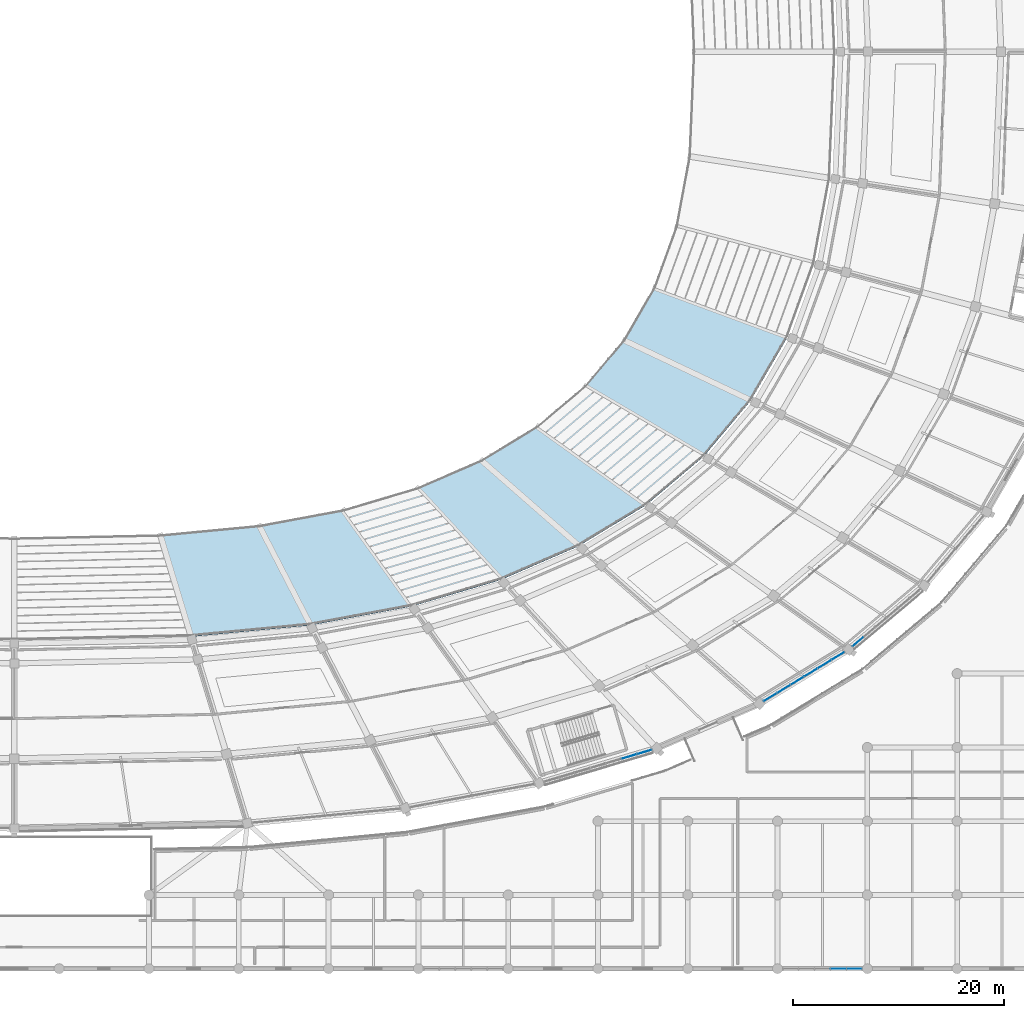
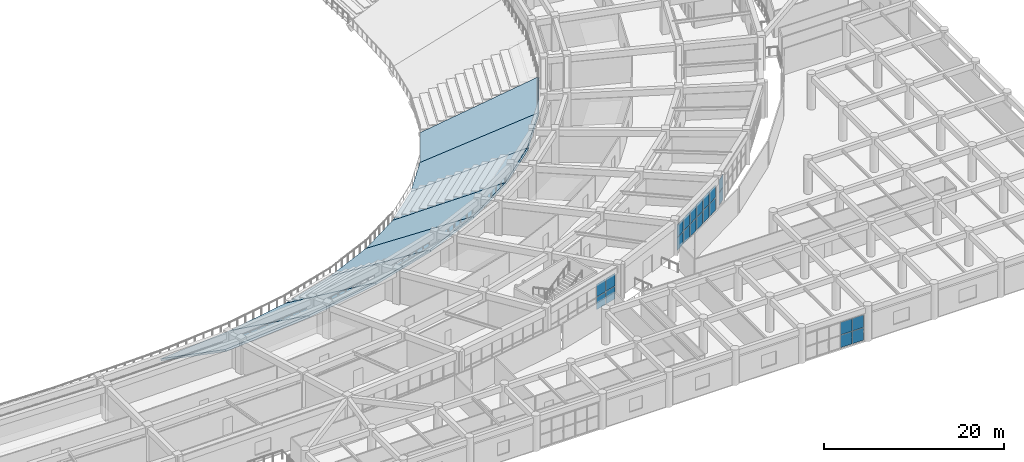
# One storey, part 84 of 152: 22 plates, 8 slabs, 4 elements without a shape of their own.
"""IFC4 building model written with IfcOpenShell, lengths in metres."""

import ifcopenshell
import ifcopenshell.guid

model = None  # the IFC model being written
_history = None  # IfcOwnerHistory: only IFC2X3 demands one
_inside = {}  # id of a spatial element -> (the spatial element, [elements in it])
_under = {}  # id of a project, library or spatial element -> (it, [spatial elements below it])
_declared = {}  # id of a project -> (the project, [libraries it declares])
_typed = {}  # id of a type object -> (the type object, [elements of that type])
_made_of = {}  # id of a material, layer set ... -> (it, [elements and type objects made of it])


def new_model(schema):
    """Start an empty IFC model of exactly this schema.

    Asked for "IFC4X3", IfcOpenShell would pick the latest addendum, in which some entities
    have other attributes; the version numbers below select the first issue.
    IFC2X3 requires an IfcOwnerHistory on every rooted entity: one is made here for all.
    """
    global model, _history
    if schema == "IFC4X3":
        model = ifcopenshell.file(schema_version=(4, 3, 0, 0))
    else:
        model = ifcopenshell.file(schema=schema)
    _inside.clear()
    _under.clear()
    _declared.clear()
    _typed.clear()
    _made_of.clear()
    _history = None
    if model.schema == "IFC2X3":
        org = make("IfcOrganization", Name="unknown")
        user = make(
            "IfcPersonAndOrganization",
            ThePerson=make("IfcPerson", FamilyName="unknown"),
            TheOrganization=org,
        )
        app = make(
            "IfcApplication",
            ApplicationDeveloper=org,
            Version="unknown",
            ApplicationFullName="unknown",
            ApplicationIdentifier="unknown",
        )
        _history = make(
            "IfcOwnerHistory",
            OwningUser=user,
            OwningApplication=app,
            ChangeAction="ADDED",
            CreationDate=0,
        )
    return model


def make(cls, **values):
    """One entity of the class cls with the attributes given. An attribute that is None is left unset."""
    return model.create_entity(
        cls, **{name: value for name, value in values.items() if value is not None}
    )


def rooted(cls, **values):
    """An entity with a GlobalId (a new one), such as an element, a storey or a relation."""
    return make(cls, GlobalId=ifcopenshell.guid.new(), OwnerHistory=_history, **values)


def si_unit(unit_type, name, prefix=None):
    """IfcSIUnit, for example si_unit("LENGTHUNIT", "METRE", prefix="MILLI")."""
    return make("IfcSIUnit", UnitType=unit_type, Prefix=prefix, Name=name)


def assignment(units):
    """IfcUnitAssignment: the units of a project."""
    return None if units is None else make("IfcUnitAssignment", Units=units)


def point(xyz):
    """IfcCartesianPoint."""
    return None if xyz is None else make("IfcCartesianPoint", Coordinates=xyz)


def direction(xyz):
    """IfcDirection."""
    return None if xyz is None else make("IfcDirection", DirectionRatios=xyz)


def frame(location, z_axis=None, x_axis=None):
    """IfcAxis2Placement3D, a coordinate frame: its origin and axes. An axis left out is left unset."""
    return make(
        "IfcAxis2Placement3D",
        Location=point(location),
        Axis=direction(z_axis),
        RefDirection=direction(x_axis),
    )


def frame_2d(location, x_axis=None):
    """IfcAxis2Placement2D, a coordinate frame in the plane: its origin and x axis."""
    return make(
        "IfcAxis2Placement2D", Location=point(location), RefDirection=direction(x_axis)
    )


def origin():
    """The frame at (0, 0, 0) with its axes left unset."""
    return frame((0.0, 0.0, 0.0))


def origin_2d():
    """The frame at (0, 0) in the plane with its x axis left unset."""
    return frame_2d((0.0, 0.0))


def place(relative_to, where):
    """IfcLocalPlacement: puts the frame where relative to a parent placement (None: the world)."""
    return make(
        "IfcLocalPlacement", PlacementRelTo=relative_to, RelativePlacement=where
    )


def context(
    kind, dimensions, precision=None, world=None, true_north=None, identifier=None
):
    """IfcGeometricRepresentationContext, for example the 3D "Model" context."""
    return make(
        "IfcGeometricRepresentationContext",
        ContextIdentifier=identifier,
        ContextType=kind,
        CoordinateSpaceDimension=dimensions,
        Precision=precision,
        WorldCoordinateSystem=world,
        TrueNorth=true_north,
    )


def subcontext(parent, identifier, kind, view, scale=None):
    """IfcGeometricRepresentationSubContext, for example "Body" below "Model"."""
    return make(
        "IfcGeometricRepresentationSubContext",
        ContextIdentifier=identifier,
        ContextType=kind,
        ParentContext=parent,
        TargetScale=scale,
        TargetView=view,
    )


def project(units=None, contexts=None):
    """IfcProject with its units and contexts."""
    return rooted(
        "IfcProject",
        Name="project",
        RepresentationContexts=contexts,
        UnitsInContext=assignment(units),
    )


def spatial(cls, under=None, at=None, **own):
    """A site, building, storey or space (cls), placed at a placement, below another one or the project."""
    s = rooted(cls, ObjectPlacement=at, **own)
    if under is not None:
        _under.setdefault(under.id(), (under, []))[1].append(s)
    return s


def polyline(points):
    """IfcPolyline through the points."""
    return make("IfcPolyline", Points=[point(p) for p in points])


def profile(cls, at=None, kind="AREA", **sizes):
    """A parametric profile (cls). Its sizes go by their IFC names, for example OverallWidth=200.0."""
    return make(cls, ProfileType=kind, Position=at, **sizes)


def rectangle(**sizes):
    """IfcRectangleProfileDef."""
    return profile("IfcRectangleProfileDef", **sizes)


def outline(outer, holes=None, kind="AREA"):
    """IfcArbitraryClosedProfileDef: a profile drawn as a closed curve; with holes, ...WithVoids."""
    if holes is None:
        return make("IfcArbitraryClosedProfileDef", ProfileType=kind, OuterCurve=outer)
    return make(
        "IfcArbitraryProfileDefWithVoids",
        ProfileType=kind,
        OuterCurve=outer,
        InnerCurves=holes,
    )


def extrude(swept, where, along, depth):
    """IfcExtrudedAreaSolid: the profile swept, set in the frame where, extruded along a direction by depth."""
    return make(
        "IfcExtrudedAreaSolid",
        SweptArea=swept,
        Position=where,
        ExtrudedDirection=direction(along),
        Depth=depth,
    )


def shape(context_of_items, identifier, shape_type, items):
    """IfcShapeRepresentation: the items that make up one representation, for example the "Body"."""
    return make(
        "IfcShapeRepresentation",
        ContextOfItems=context_of_items,
        RepresentationIdentifier=identifier,
        RepresentationType=shape_type,
        Items=items,
    )


def material(Name=None, Category=None):
    """IfcMaterial."""
    return make("IfcMaterial", Name=Name, Category=Category)


def layer(
    of_material, thickness, ventilated=None, Name=None, Category=None, Priority=None
):
    """IfcMaterialLayer: one layer of a wall or slab, of a material (None: an air gap)."""
    return make(
        "IfcMaterialLayer",
        Material=of_material,
        LayerThickness=thickness,
        IsVentilated=ventilated,
        Name=Name,
        Category=Category,
        Priority=Priority,
    )


def layer_set(layers, Name=None):
    """IfcMaterialLayerSet."""
    return make("IfcMaterialLayerSet", MaterialLayers=layers, LayerSetName=Name)


def made_of(thing, what):
    """Note that an element or type object is made of a material, layer set ...; save() writes the relation."""
    if what is not None:
        _made_of.setdefault(what.id(), (what, []))[1].append(thing)
    return thing


def type_object(cls, material=None, **own):
    """A type object (cls), such as IfcWallType, which elements share."""
    return made_of(rooted(cls, **own), material)


def element(
    cls,
    number,
    at=None,
    inside=None,
    cuts=None,
    type_object=None,
    material=None,
    context=None,
    identifier="Body",
    shape_type=None,
    held_by="IfcProductDefinitionShape",
    body=None,
    shapes=None,
    **own,
):
    """One element of the class cls, such as IfcWall. Its Tag is "e" and its number.

    at: its placement. inside: the storey or other place that contains it. cuts: it is an
    opening in that element (IfcRelVoidsElement). A single representation is given by context,
    identifier, shape_type and body (its items); several are given by shapes. held_by: the class
    of the entity that holds the representations. save() writes the other relations.
    """
    e = rooted(cls, Tag="e%d" % number, ObjectPlacement=at, **own)
    if body is not None:
        shapes = [shape(context, identifier, shape_type, body)]
    if shapes is not None:
        e.Representation = make(held_by, Representations=shapes)
    if inside is not None:
        _inside.setdefault(inside.id(), (inside, []))[1].append(e)
    if cuts is not None:
        rooted(
            "IfcRelVoidsElement", RelatingBuildingElement=cuts, RelatedOpeningElement=e
        )
    if type_object is not None:
        _typed.setdefault(type_object.id(), (type_object, []))[1].append(e)
    return made_of(e, material)


def aggregate(whole, parts):
    """IfcRelAggregates: a whole, such as a stair, and the parts it consists of."""
    return rooted("IfcRelAggregates", RelatingObject=whole, RelatedObjects=parts)


def save(model, path):
    """Write the relations noted so far, then the file.

    IfcRelAggregates (storeys below a building ...), IfcRelContainedInSpatialStructure (elements
    in a storey), IfcRelDefinesByType, IfcRelAssociatesMaterial and IfcRelDeclares: one each for
    every whole, place, type object, material and project.
    """
    for whole, parts in _under.values():
        aggregate(whole, parts)
    for where, things in _inside.values():
        rooted(
            "IfcRelContainedInSpatialStructure",
            RelatedElements=things,
            RelatingStructure=where,
        )
    for kind, things in _typed.values():
        rooted("IfcRelDefinesByType", RelatedObjects=things, RelatingType=kind)
    for what, things in _made_of.values():
        rooted("IfcRelAssociatesMaterial", RelatedObjects=things, RelatingMaterial=what)
    for by, libraries in _declared.values():
        rooted("IfcRelDeclares", RelatingContext=by, RelatedDefinitions=libraries)
    model.write(path)


model = new_model("IFC4")

# Units and contexts
model_context = context("Model", 3, precision=1e-05, world=origin(), true_north=direction((0.0, 1.0)))
body_context = subcontext(model_context, "Body", "Model", "MODEL_VIEW")
ifc_project = project(units=[si_unit("LENGTHUNIT", "METRE"), si_unit("AREAUNIT", "SQUARE_METRE"), si_unit("VOLUMEUNIT", "CUBIC_METRE"), si_unit("PLANEANGLEUNIT", "RADIAN"), si_unit("MASSUNIT", "GRAM", prefix="KILO")], contexts=[model_context])

# Site, building, storey
site_placement = place(None, origin())
site = spatial("IfcSite", under=ifc_project, at=site_placement, CompositionType="ELEMENT")
building_placement = place(site_placement, origin())
building = spatial("IfcBuilding", under=site, at=building_placement, Name="Mphavela Belvedere Stadium", CompositionType="ELEMENT")
storey_placement = place(building_placement, frame((0.0, 0.0, 5.39990234375)))
storey = spatial("IfcBuildingStorey", under=building, at=storey_placement, Name="L01", CompositionType="ELEMENT", Elevation=5.39990234375)

# Curtain wall, plates
ifc_material_1 = material(Name="Anodised bronze unitised curtain wall framing")
ifc_layer_1 = layer(ifc_material_1, 0.179931640625)
ifc_layer_set_1 = layer_set([ifc_layer_1], Name="Anodised bronze unitised curtain wall framing")
curtain_wall_type_1 = type_object("IfcCurtainWallType", Name="CW-UNIT-01", PredefinedType="USERDEFINED", material=ifc_layer_set_1)
curtain_wall_1_placement = place(storey_placement, origin())
curtain_wall_1 = element("IfcCurtainWall", 1, at=curtain_wall_1_placement, inside=storey, type_object=curtain_wall_type_1, Name="Belvedere colonnade curtain wall L01-40", ObjectType="UNITISED CURTAIN WALL", PredefinedType="USERDEFINED")
ifc_material_2 = material(Name="Solar-control double glazing", Category="glass")
ifc_layer_2 = layer(ifc_material_2, 0.031982421875)
ifc_layer_set_2 = layer_set([ifc_layer_2], Name="Solar-control double glazing")
plate_type = type_object("IfcPlateType", Name="CWP-SOLAR-GLASS", PredefinedType="CURTAIN_PANEL", material=ifc_layer_set_2)
plate_1_placement = place(storey_placement, frame((173.319580078125, 20.131591796875, 0.06005859375), z_axis=(0.0, 0.0, 1.0), x_axis=(0.958660876219, 0.28455109279, 0.0)))
plate_1 = element("IfcPlate", 2, at=plate_1_placement, type_object=plate_type, Name="CW-01 panel 6.1", PredefinedType="CURTAIN_PANEL", context=body_context, shape_type="SweptSolid", body=[
    extrude(rectangle(XDim=1.4736328125, YDim=0.031982421875, at=origin_2d()), origin(), (0.0, 0.0, 1.0), 1.695068359375),
])
plate_2_placement = place(storey_placement, frame((173.319580078125, 20.131591796875, 1.81494140625), z_axis=(0.0, 0.0, 1.0), x_axis=(0.958660876219, 0.28455109279, 0.0)))
plate_2 = element("IfcPlate", 3, at=plate_2_placement, type_object=plate_type, Name="CW-01 panel 6.2", PredefinedType="CURTAIN_PANEL", context=body_context, shape_type="SweptSolid", body=[
    extrude(rectangle(XDim=1.4736328125, YDim=0.031982421875, at=origin_2d()), origin(), (0.0, 0.0, 1.0), 1.695068359375),
])
plate_3_placement = place(storey_placement, frame((174.779052734375, 20.564697265625, 0.06005859375), z_axis=(0.0, 0.0, 1.0), x_axis=(0.958660876219, 0.28455109279, 0.0)))
plate_3 = element("IfcPlate", 4, at=plate_3_placement, type_object=plate_type, Name="CW-01 panel 7.1", PredefinedType="CURTAIN_PANEL", context=body_context, shape_type="SweptSolid", body=[
    extrude(rectangle(XDim=1.441162109375, YDim=0.031982421875, at=origin_2d()), origin(), (0.0, 0.0, 1.0), 1.695068359375),
])
plate_4_placement = place(storey_placement, frame((174.779052734375, 20.564697265625, 1.81494140625), z_axis=(0.0, 0.0, 1.0), x_axis=(0.958660876219, 0.28455109279, 0.0)))
plate_4 = element("IfcPlate", 5, at=plate_4_placement, type_object=plate_type, Name="CW-01 panel 7.2", PredefinedType="CURTAIN_PANEL", context=body_context, shape_type="SweptSolid", body=[
    extrude(rectangle(XDim=1.441162109375, YDim=0.031982421875, at=origin_2d()), origin(), (0.0, 0.0, 1.0), 1.695068359375),
])
aggregate(curtain_wall_1, [plate_1, plate_2, plate_3, plate_4])

ifc_material_3 = material(Name="Anodised bronze unitised curtain wall framing")
ifc_layer_3 = layer(ifc_material_3, 0.18505859375)
ifc_layer_set_3 = layer_set([ifc_layer_3], Name="Anodised bronze unitised curtain wall framing")
curtain_wall_type_2 = type_object("IfcCurtainWallType", Name="CW-UNIT-02", PredefinedType="USERDEFINED", material=ifc_layer_set_3)
curtain_wall_2_placement = place(storey_placement, origin())
curtain_wall_2 = element("IfcCurtainWall", 6, at=curtain_wall_2_placement, inside=storey, type_object=curtain_wall_type_2, Name="Belvedere colonnade curtain wall L01-42", ObjectType="UNITISED CURTAIN WALL", PredefinedType="USERDEFINED")
plate_5_placement = place(storey_placement, frame((186.71630859375, 25.759765625, 0.06005859375), z_axis=(0.0, 0.0, 1.0), x_axis=(0.8543277514, 0.51973463728, 0.0)))
plate_5 = element("IfcPlate", 7, at=plate_5_placement, type_object=plate_type, Name="CW-02 panel 1.1", PredefinedType="CURTAIN_PANEL", context=body_context, shape_type="SweptSolid", body=[
    extrude(rectangle(XDim=1.411865234375, YDim=0.031982421875, at=origin_2d()), origin(), (0.0, 0.0, 1.0), 1.695068359375),
])
plate_6_placement = place(storey_placement, frame((186.71630859375, 25.759765625, 1.81494140625), z_axis=(0.0, 0.0, 1.0), x_axis=(0.8543277514, 0.51973463728, 0.0)))
plate_6 = element("IfcPlate", 8, at=plate_6_placement, type_object=plate_type, Name="CW-02 panel 1.2", PredefinedType="CURTAIN_PANEL", context=body_context, shape_type="SweptSolid", body=[
    extrude(rectangle(XDim=1.411865234375, YDim=0.031982421875, at=origin_2d()), origin(), (0.0, 0.0, 1.0), 1.695068359375),
])
plate_7_placement = place(storey_placement, frame((187.99169921875, 26.53564453125, 0.06005859375), z_axis=(0.0, 0.0, 1.0), x_axis=(0.8543277514, 0.51973463728, 0.0)))
plate_7 = element("IfcPlate", 9, at=plate_7_placement, type_object=plate_type, Name="CW-02 panel 2.1", PredefinedType="CURTAIN_PANEL", context=body_context, shape_type="SweptSolid", body=[
    extrude(rectangle(XDim=1.4443359375, YDim=0.031982421875, at=origin_2d()), origin(), (0.0, 0.0, 1.0), 1.695068359375),
])
plate_8_placement = place(storey_placement, frame((187.99169921875, 26.53564453125, 1.81494140625), z_axis=(0.0, 0.0, 1.0), x_axis=(0.8543277514, 0.51973463728, 0.0)))
plate_8 = element("IfcPlate", 10, at=plate_8_placement, type_object=plate_type, Name="CW-02 panel 2.2", PredefinedType="CURTAIN_PANEL", context=body_context, shape_type="SweptSolid", body=[
    extrude(rectangle(XDim=1.4443359375, YDim=0.031982421875, at=origin_2d()), origin(), (0.0, 0.0, 1.0), 1.695068359375),
])
plate_9_placement = place(storey_placement, frame((189.28125, 27.320068359375, 0.06005859375), z_axis=(0.0, 0.0, 1.0), x_axis=(0.8543277514, 0.51973463728, 0.0)))
plate_9 = element("IfcPlate", 11, at=plate_9_placement, type_object=plate_type, Name="CW-02 panel 3.1", PredefinedType="CURTAIN_PANEL", context=body_context, shape_type="SweptSolid", body=[
    extrude(rectangle(XDim=1.4443359375, YDim=0.031982421875, at=origin_2d()), origin(), (0.0, 0.0, 1.0), 1.695068359375),
])
plate_10_placement = place(storey_placement, frame((189.28125, 27.320068359375, 1.81494140625), z_axis=(0.0, 0.0, 1.0), x_axis=(0.8543277514, 0.51973463728, 0.0)))
plate_10 = element("IfcPlate", 12, at=plate_10_placement, type_object=plate_type, Name="CW-02 panel 3.2", PredefinedType="CURTAIN_PANEL", context=body_context, shape_type="SweptSolid", body=[
    extrude(rectangle(XDim=1.4443359375, YDim=0.031982421875, at=origin_2d()), origin(), (0.0, 0.0, 1.0), 1.695068359375),
])
plate_11_placement = place(storey_placement, frame((190.570556640625, 28.1044921875, 0.06005859375), z_axis=(0.0, 0.0, 1.0), x_axis=(0.8543277514, 0.51973463728, 0.0)))
plate_11 = element("IfcPlate", 13, at=plate_11_placement, type_object=plate_type, Name="CW-02 panel 4.1", PredefinedType="CURTAIN_PANEL", context=body_context, shape_type="SweptSolid", body=[
    extrude(rectangle(XDim=1.4443359375, YDim=0.031982421875, at=origin_2d()), origin(), (0.0, 0.0, 1.0), 1.695068359375),
])
plate_12_placement = place(storey_placement, frame((190.570556640625, 28.1044921875, 1.81494140625), z_axis=(0.0, 0.0, 1.0), x_axis=(0.8543277514, 0.51973463728, 0.0)))
plate_12 = element("IfcPlate", 14, at=plate_12_placement, type_object=plate_type, Name="CW-02 panel 4.2", PredefinedType="CURTAIN_PANEL", context=body_context, shape_type="SweptSolid", body=[
    extrude(rectangle(XDim=1.4443359375, YDim=0.031982421875, at=origin_2d()), origin(), (0.0, 0.0, 1.0), 1.695068359375),
])
plate_13_placement = place(storey_placement, frame((191.860107421875, 28.888916015625, 0.06005859375), z_axis=(0.0, 0.0, 1.0), x_axis=(0.8543277514, 0.51973463728, 0.0)))
plate_13 = element("IfcPlate", 15, at=plate_13_placement, type_object=plate_type, Name="CW-02 panel 5.1", PredefinedType="CURTAIN_PANEL", context=body_context, shape_type="SweptSolid", body=[
    extrude(rectangle(XDim=1.4443359375, YDim=0.031982421875, at=origin_2d()), origin(), (0.0, 0.0, 1.0), 1.695068359375),
])
plate_14_placement = place(storey_placement, frame((191.860107421875, 28.888916015625, 1.81494140625), z_axis=(0.0, 0.0, 1.0), x_axis=(0.8543277514, 0.51973463728, 0.0)))
plate_14 = element("IfcPlate", 16, at=plate_14_placement, type_object=plate_type, Name="CW-02 panel 5.2", PredefinedType="CURTAIN_PANEL", context=body_context, shape_type="SweptSolid", body=[
    extrude(rectangle(XDim=1.4443359375, YDim=0.031982421875, at=origin_2d()), origin(), (0.0, 0.0, 1.0), 1.695068359375),
])
plate_15_placement = place(storey_placement, frame((193.135498046875, 29.6650390625, 0.06005859375), z_axis=(0.0, 0.0, 1.0), x_axis=(0.8543277514, 0.51973463728, 0.0)))
plate_15 = element("IfcPlate", 17, at=plate_15_placement, type_object=plate_type, Name="CW-02 panel 6.1", PredefinedType="CURTAIN_PANEL", context=body_context, shape_type="SweptSolid", body=[
    extrude(rectangle(XDim=1.411865234375, YDim=0.031982421875, at=origin_2d()), origin(), (0.0, 0.0, 1.0), 1.695068359375),
])
plate_16_placement = place(storey_placement, frame((193.135498046875, 29.6650390625, 1.81494140625), z_axis=(0.0, 0.0, 1.0), x_axis=(0.8543277514, 0.51973463728, 0.0)))
plate_16 = element("IfcPlate", 18, at=plate_16_placement, type_object=plate_type, Name="CW-02 panel 6.2", PredefinedType="CURTAIN_PANEL", context=body_context, shape_type="SweptSolid", body=[
    extrude(rectangle(XDim=1.411865234375, YDim=0.031982421875, at=origin_2d()), origin(), (0.0, 0.0, 1.0), 1.695068359375),
])
aggregate(curtain_wall_2, [plate_5, plate_6, plate_7, plate_8, plate_9, plate_10, plate_11, plate_12, plate_13, plate_14, plate_15, plate_16])

ifc_material_4 = material(Name="Anodised bronze unitised curtain wall framing")
ifc_layer_4 = layer(ifc_material_4, 0.18994140625)
ifc_layer_set_4 = layer_set([ifc_layer_4], Name="Anodised bronze unitised curtain wall framing")
curtain_wall_type_3 = type_object("IfcCurtainWallType", Name="CW-UNIT-03", PredefinedType="USERDEFINED", material=ifc_layer_set_4)
curtain_wall_3_placement = place(storey_placement, origin())
curtain_wall_3 = element("IfcCurtainWall", 19, at=curtain_wall_3_placement, inside=storey, type_object=curtain_wall_type_3, Name="Belvedere colonnade curtain wall L01-43", ObjectType="UNITISED CURTAIN WALL", PredefinedType="USERDEFINED")
plate_17_placement = place(storey_placement, frame((195.035888671875, 31.0283203125, 0.06005859375), z_axis=(0.0, 0.0, 1.0), x_axis=(0.76425888519, 0.644909572272, 0.0)))
plate_17 = element("IfcPlate", 20, at=plate_17_placement, type_object=plate_type, Name="CW-03 panel 1.1", PredefinedType="CURTAIN_PANEL", context=body_context, shape_type="SweptSolid", body=[
    extrude(rectangle(XDim=1.327880859375, YDim=0.031982421875, at=origin_2d()), origin(), (0.0, 0.0, 1.0), 1.695068359375),
])
plate_18_placement = place(storey_placement, frame((195.035888671875, 31.0283203125, 1.81494140625), z_axis=(0.0, 0.0, 1.0), x_axis=(0.76425888519, 0.644909572272, 0.0)))
plate_18 = element("IfcPlate", 21, at=plate_18_placement, type_object=plate_type, Name="CW-03 panel 1.2", PredefinedType="CURTAIN_PANEL", context=body_context, shape_type="SweptSolid", body=[
    extrude(rectangle(XDim=1.327880859375, YDim=0.031982421875, at=origin_2d()), origin(), (0.0, 0.0, 1.0), 1.695068359375),
])
aggregate(curtain_wall_3, [plate_17, plate_18])

ifc_material_5 = material(Name="Anodised bronze unitised curtain wall framing")
ifc_layer_5 = layer(ifc_material_5, 0.205078125)
ifc_layer_set_5 = layer_set([ifc_layer_5], Name="Anodised bronze unitised curtain wall framing")
curtain_wall_type_4 = type_object("IfcCurtainWallType", Name="CW-UNIT-06", PredefinedType="USERDEFINED", material=ifc_layer_set_5)
curtain_wall_4_placement = place(storey_placement, origin())
curtain_wall_4 = element("IfcCurtainWall", 22, at=curtain_wall_4_placement, inside=storey, type_object=curtain_wall_type_4, Name="South Axial Triumphal Peristyle Portico gallery curtain wall L01-23", ObjectType="UNITISED CURTAIN WALL", PredefinedType="USERDEFINED")
plate_19_placement = place(storey_placement, frame((194.679443359375, 0.0, 0.06005859375), z_axis=(0.0, 0.0, 1.0), x_axis=(-1.0, 0.0, 0.0)))
plate_19 = element("IfcPlate", 23, at=plate_19_placement, type_object=plate_type, Name="CW-06 panel 1.1", PredefinedType="CURTAIN_PANEL", context=body_context, shape_type="SweptSolid", body=[
    extrude(rectangle(XDim=1.4169921875, YDim=0.031982421875, at=origin_2d()), origin(), (0.0, 0.0, 1.0), 1.68994140625),
])
plate_20_placement = place(storey_placement, frame((194.679443359375, 0.0, 1.81005859375), z_axis=(0.0, 0.0, 1.0), x_axis=(-1.0, 0.0, 0.0)))
plate_20 = element("IfcPlate", 24, at=plate_20_placement, type_object=plate_type, Name="CW-06 panel 1.2", PredefinedType="CURTAIN_PANEL", context=body_context, shape_type="SweptSolid", body=[
    extrude(rectangle(XDim=1.4169921875, YDim=0.031982421875, at=origin_2d()), origin(), (0.0, 0.0, 1.0), 1.68994140625),
])
plate_21_placement = place(storey_placement, frame((193.18115234375, 0.0, 0.06005859375), z_axis=(0.0, 0.0, 1.0), x_axis=(-1.0, 0.0, 0.0)))
plate_21 = element("IfcPlate", 25, at=plate_21_placement, type_object=plate_type, Name="CW-06 panel 2.1", PredefinedType="CURTAIN_PANEL", context=body_context, shape_type="SweptSolid", body=[
    extrude(rectangle(XDim=1.44970703125, YDim=0.031982421875, at=origin_2d()), origin(), (0.0, 0.0, 1.0), 1.68994140625),
])
plate_22_placement = place(storey_placement, frame((193.18115234375, 0.0, 1.81005859375), z_axis=(0.0, 0.0, 1.0), x_axis=(-1.0, 0.0, 0.0)))
plate_22 = element("IfcPlate", 26, at=plate_22_placement, type_object=plate_type, Name="CW-06 panel 2.2", PredefinedType="CURTAIN_PANEL", context=body_context, shape_type="SweptSolid", body=[
    extrude(rectangle(XDim=1.44970703125, YDim=0.031982421875, at=origin_2d()), origin(), (0.0, 0.0, 1.0), 1.68994140625),
])
aggregate(curtain_wall_4, [plate_19, plate_20, plate_21, plate_22])

# Slabs
ifc_material_6 = material(Name="Precast concrete C45/55", Category="concrete")
ifc_layer_6 = layer(ifc_material_6, 0.25)
ifc_layer_set_6 = layer_set([ifc_layer_6], Name="Precast concrete C45/55")
slab_type = type_object("IfcSlabType", Name="SLB-TIER-LOWER", PredefinedType="USERDEFINED", material=ifc_layer_set_6)
slab_1_placement = place(storey_placement, frame((128.873779296875, 41.081298828125, -4.099853515625), z_axis=(-0.049974089428, 0.524125282997, 0.850173675262), x_axis=(0.995485126826, 0.094917660464, -3.32756e-07)))
element("IfcSlab", 27, at=slab_1_placement, inside=storey, type_object=slab_type, Name="Lower seating tier slab L01-38", ObjectType="SEATING TIER", PredefinedType="USERDEFINED", context=body_context, shape_type="SweptSolid", body=[
    extrude(outline(polyline([(0.0, 0.0), (9.426838508432935, 1.1102230246251565e-16), (13.316285834428676, -11.395969001676475), (1.9473307359112653, -11.395955858493513), (0.0, 0.0)])), origin(), (0.0, 0.0, -1.0), 0.25),
])
slab_2_placement = place(storey_placement, frame((138.258056640625, 41.97607421875, -4.099853515625), z_axis=(-0.094235956026, 0.505938886763, 0.857406220792), x_axis=(0.983092331305, 0.183110535279, -1.10416e-07)))
element("IfcSlab", 28, at=slab_2_placement, inside=storey, type_object=slab_type, Name="Lower seating tier slab L01-39", ObjectType="SEATING TIER", PredefinedType="USERDEFINED", context=body_context, shape_type="SweptSolid", body=[
    extrude(outline(polyline([(0.0, 0.0), (8.122439028539493, 0.0), (12.807773174986158, -11.658632563189693), (3.012023636167066, -11.658628718852402), (0.0, 0.0)])), origin(), (0.0, 0.0, -1.0), 0.25),
])
slab_3_placement = place(storey_placement, frame((146.2431640625, 43.46337890625, -4.099853515625), z_axis=(-0.141887406626, 0.478031379031, 0.866806763069), x_axis=(0.958662176806, 0.284546711036, -1.92175e-07)))
element("IfcSlab", 29, at=slab_3_placement, inside=storey, type_object=slab_type, Name="Lower seating tier slab L01-40", ObjectType="SEATING TIER", PredefinedType="USERDEFINED", context=body_context, shape_type="SweptSolid", body=[
    extrude(outline(polyline([(0.0, 0.0), (7.2878357610349545, -4.440892098500626e-16), (12.407639661217203, -12.032632520277364), (3.6182831631799024, -12.032626324222552), (0.0, 0.0)])), origin(), (0.0, 0.0, -1.0), 0.25),
])
slab_4_placement = place(storey_placement, frame((153.229736328125, 45.537109375, -4.099853515625), z_axis=(-0.190858804595, 0.440280540142, 0.877340277589), x_axis=(0.91750490385, 0.397724466678, 4.041924e-06)))
element("IfcSlab", 30, at=slab_4_placement, inside=storey, type_object=slab_type, Name="Lower seating tier slab L01-41", ObjectType="SEATING TIER", PredefinedType="USERDEFINED", context=body_context, shape_type="SweptSolid", body=[
    extrude(outline(polyline([(0.0, 0.0), (6.672514141049851, 4.440892098500626e-16), (11.876116931832101, -12.503318326292444), (3.8289120831041705, -12.503442310151001), (0.0, 0.0)])), origin(), (0.0, 0.0, -1.0), 0.25),
])
slab_5_placement = place(storey_placement, frame((159.351806640625, 48.19091796875, -4.099853515625), z_axis=(-0.23911763822, 0.393043368177, 0.887884939519), x_axis=(0.85431823944, 0.519750272492, -2.070097e-06)))
element("IfcSlab", 31, at=slab_5_placement, inside=storey, type_object=slab_type, Name="Lower seating tier slab L01-42", ObjectType="SEATING TIER", PredefinedType="USERDEFINED", context=body_context, shape_type="SweptSolid", body=[
    extrude(outline(polyline([(0.0, 0.0), (6.212125791664506, 0.0), (11.142379319374818, -13.041669230417568), (3.650605866948243, -13.041607568769109), (0.0, 0.0)])), origin(), (0.0, 0.0, -1.0), 0.25),
])
slab_6_placement = place(storey_placement, frame((164.658935546875, 51.419677734375, -4.099853515625), z_axis=(-0.284611104244, 0.337287104358, 0.897348276075), x_axis=(0.764254694135, 0.644914538872, -6.669598e-06)))
element("IfcSlab", 32, at=slab_6_placement, inside=storey, type_object=slab_type, Name="Lower seating tier slab L01-43", ObjectType="SEATING TIER", PredefinedType="USERDEFINED", context=body_context, shape_type="SweptSolid", body=[
    extrude(outline(polyline([(0.0, 0.0), (5.896092000140836, -4.440892098500626e-16), (10.202145984126567, -13.595635839857422), (3.091369793923254, -13.595439270528502), (0.0, 0.0)])), origin(), (0.0, 0.0, -1.0), 0.25),
])
slab_7_placement = place(storey_placement, frame((169.1650390625, 55.22216796875, -4.099853515625), z_axis=(-0.325335055916, 0.274715889253, 0.904813948602), x_axis=(0.645175251846, 0.764034615948, 6.274985e-06)))
element("IfcSlab", 33, at=slab_7_placement, inside=storey, type_object=slab_type, Name="Lower seating tier slab L01-44", ObjectType="SEATING TIER", PredefinedType="USERDEFINED", context=body_context, shape_type="SweptSolid", body=[
    extrude(outline(polyline([(0.0, 0.0), (5.741213101986478, 0.0), (9.121451383033312, -14.090751972223927), (2.197467575417814, -14.090938615235588), (0.0, 0.0)])), origin(), (0.0, 0.0, -1.0), 0.25),
])
slab_8_placement = place(storey_placement, frame((172.869140625, 59.608642578125, -4.099853515625), z_axis=(-0.3594604756, 0.207838915334, 0.909720370089), x_axis=(0.500540449389, 0.865713150242, -4.808227e-06)))
element("IfcSlab", 34, at=slab_8_placement, inside=storey, type_object=slab_type, Name="Lower seating tier slab L01-45", ObjectType="SEATING TIER", PredefinedType="USERDEFINED", context=body_context, shape_type="SweptSolid", body=[
    extrude(outline(polyline([(0.0, 0.0), (5.7823460595882405, -8.881784197001252e-16), (8.05572788755828, -14.450213997594643), (1.0820750251183464, -14.450066284278886), (0.0, 0.0)])), origin(), (0.0, 0.0, -1.0), 0.25),
])

save(model, "model.ifc")
